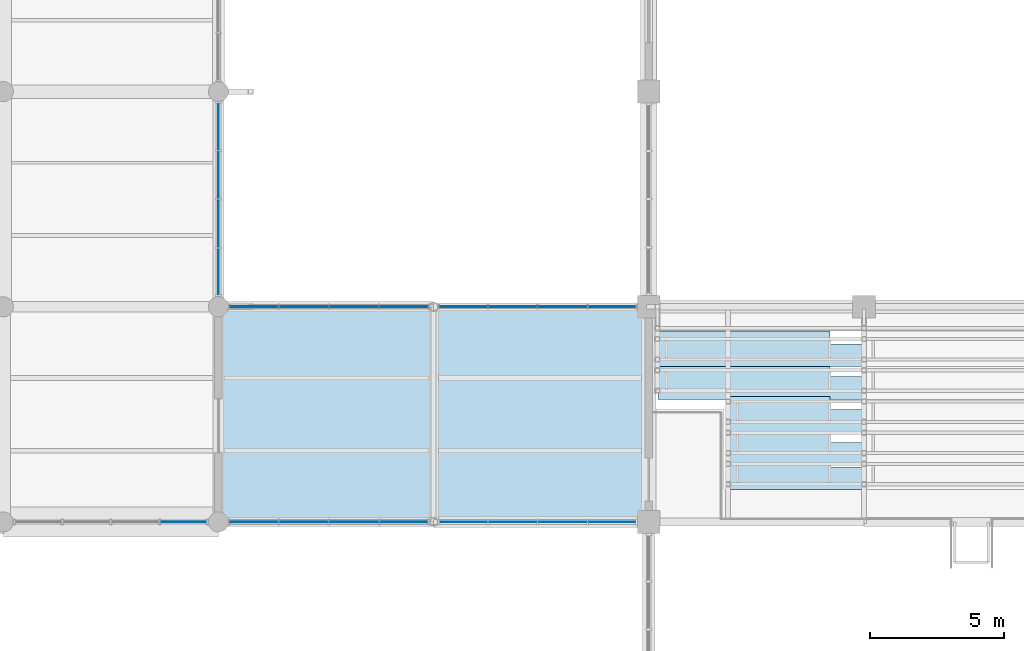
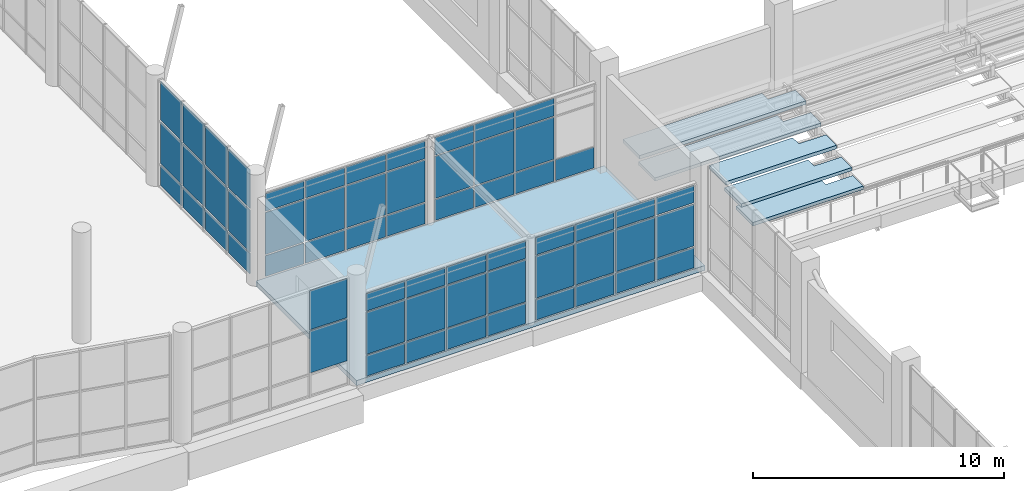
# One storey, part 76 of 122: 60 plates, 6 slabs, 6 elements without a shape of their own.
"""IFC4 building model written with IfcOpenShell, lengths in metres."""

from ifc_helpers import new_model, si_unit, direction, frame, origin, origin_2d, place, context, subcontext, project, spatial, polyline, rectangle, outline, extrude, material, layer, layer_set, type_object, element, aggregate, save


model = new_model("IFC4")

# Units and contexts
model_context = context("Model", 3, precision=1e-05, world=origin(), true_north=direction((0.0, 1.0)))
body_context = subcontext(model_context, "Body", "Model", "MODEL_VIEW")
ifc_project = project(units=[si_unit("LENGTHUNIT", "METRE"), si_unit("AREAUNIT", "SQUARE_METRE"), si_unit("VOLUMEUNIT", "CUBIC_METRE"), si_unit("PLANEANGLEUNIT", "RADIAN"), si_unit("MASSUNIT", "GRAM", prefix="KILO")], contexts=[model_context])

# Site, building, storey
site_placement = place(None, origin())
site = spatial("IfcSite", under=ifc_project, at=site_placement, CompositionType="ELEMENT")
building_placement = place(site_placement, origin())
building = spatial("IfcBuilding", under=site, at=building_placement, Name="Tenunan Teduh Sports Hall", CompositionType="ELEMENT")
storey_placement = place(building_placement, frame((0.0, 0.0, 5.39990234375)))
storey = spatial("IfcBuildingStorey", under=building, at=storey_placement, Name="L01", CompositionType="ELEMENT", Elevation=5.39990234375)

# Curtain wall, plates
ifc_material_1 = material(Name="Anodised aluminium", Category="aluminium")
curtain_wall_type_1 = type_object("IfcCurtainWallType", Name="CW-UNIT-1", PredefinedType="NOTDEFINED", material=ifc_material_1)
curtain_wall_1_placement = place(storey_placement, origin())
curtain_wall_1 = element("IfcCurtainWall", 1, at=curtain_wall_1_placement, inside=storey, type_object=curtain_wall_type_1, Name="CW-CWM-200-L01-164", PredefinedType="NOTDEFINED")
ifc_material_2 = material(Name="Low-E laminated double glazing", Category="glass")
ifc_layer_1 = layer(ifc_material_2, 0.028076171875)
ifc_layer_set_1 = layer_set([ifc_layer_1], Name="Low-E laminated double glazing")
plate_type_1 = type_object("IfcPlateType", Name="CWP-GLZ-28", PredefinedType="CURTAIN_PANEL", material=ifc_layer_set_1)
plate_1_placement = place(storey_placement, frame((104.701171875, 38.0, 1.13525390625), z_axis=(0.0, 0.0, 1.0), x_axis=(1.0, 0.0, 0.0)))
plate_1 = element("IfcPlate", 2, at=plate_1_placement, type_object=plate_type_1, Name="CW-01 panel 4.2", PredefinedType="CURTAIN_PANEL", context=body_context, shape_type="SweptSolid", body=[
    extrude(rectangle(XDim=1.70751953125, YDim=0.028076171875, at=origin_2d()), origin(), (0.0, 0.0, 1.0), 2.030029296875),
])
plate_2_placement = place(storey_placement, frame((104.701171875, 38.0, 3.235107421875), z_axis=(0.0, 0.0, 1.0), x_axis=(1.0, 0.0, 0.0)))
plate_2 = element("IfcPlate", 3, at=plate_2_placement, type_object=plate_type_1, Name="CW-01 panel 4.3", PredefinedType="CURTAIN_PANEL", context=body_context, shape_type="SweptSolid", body=[
    extrude(rectangle(XDim=1.70751953125, YDim=0.028076171875, at=origin_2d()), origin(), (0.0, 0.0, 1.0), 1.89501953125),
])
aggregate(curtain_wall_1, [plate_1, plate_2])

ifc_material_3 = material(Name="Anodised aluminium", Category="aluminium")
curtain_wall_type_2 = type_object("IfcCurtainWallType", Name="CW-UNIT-2", PredefinedType="NOTDEFINED", material=ifc_material_3)
curtain_wall_2_placement = place(storey_placement, origin())
curtain_wall_2 = element("IfcCurtainWall", 4, at=curtain_wall_2_placement, inside=storey, type_object=curtain_wall_type_2, Name="CW-CWM-200-L01-180", PredefinedType="NOTDEFINED")
plate_3_placement = place(storey_placement, frame((107.325439453125, 38.0, 1.13525390625), z_axis=(0.0, 0.0, 1.0), x_axis=(1.0, 0.0, 0.0)))
plate_3 = element("IfcPlate", 5, at=plate_3_placement, type_object=plate_type_1, Name="CW-02 panel 1.2", PredefinedType="CURTAIN_PANEL", context=body_context, shape_type="SweptSolid", body=[
    extrude(rectangle(XDim=1.7607421875, YDim=0.028076171875, at=origin_2d()), origin(), (0.0, 0.0, 1.0), 2.030029296875),
])
plate_4_placement = place(storey_placement, frame((107.325439453125, 38.0, 3.2353515625), z_axis=(0.0, 0.0, 1.0), x_axis=(1.0, 0.0, 0.0)))
plate_4 = element("IfcPlate", 6, at=plate_4_placement, type_object=plate_type_1, Name="CW-02 panel 1.3", PredefinedType="CURTAIN_PANEL", context=body_context, shape_type="SweptSolid", body=[
    extrude(rectangle(XDim=1.7607421875, YDim=0.028076171875, at=origin_2d()), origin(), (0.0, 0.0, 1.0), 0.844970703125),
])
plate_5_placement = place(storey_placement, frame((109.173583984375, 38.0, 1.13525390625), z_axis=(0.0, 0.0, 1.0), x_axis=(1.0, 0.0, 0.0)))
plate_5 = element("IfcPlate", 7, at=plate_5_placement, type_object=plate_type_1, Name="CW-02 panel 2.2", PredefinedType="CURTAIN_PANEL", context=body_context, shape_type="SweptSolid", body=[
    extrude(rectangle(XDim=1.795654296875, YDim=0.028076171875, at=origin_2d()), origin(), (0.0, 0.0, 1.0), 2.030029296875),
])
plate_6_placement = place(storey_placement, frame((109.173583984375, 38.0, 3.2353515625), z_axis=(0.0, 0.0, 1.0), x_axis=(1.0, 0.0, 0.0)))
plate_6 = element("IfcPlate", 8, at=plate_6_placement, type_object=plate_type_1, Name="CW-02 panel 2.3", PredefinedType="CURTAIN_PANEL", context=body_context, shape_type="SweptSolid", body=[
    extrude(rectangle(XDim=1.795654296875, YDim=0.028076171875, at=origin_2d()), origin(), (0.0, 0.0, 1.0), 0.844970703125),
])
plate_7_placement = place(storey_placement, frame((111.039306640625, 38.0, 1.13525390625), z_axis=(0.0, 0.0, 1.0), x_axis=(1.0, 0.0, 0.0)))
plate_7 = element("IfcPlate", 9, at=plate_7_placement, type_object=plate_type_1, Name="CW-02 panel 3.2", PredefinedType="CURTAIN_PANEL", context=body_context, shape_type="SweptSolid", body=[
    extrude(rectangle(XDim=1.795654296875, YDim=0.028076171875, at=origin_2d()), origin(), (0.0, 0.0, 1.0), 2.030029296875),
])
plate_8_placement = place(storey_placement, frame((111.039306640625, 38.0, 3.2353515625), z_axis=(0.0, 0.0, 1.0), x_axis=(1.0, 0.0, 0.0)))
plate_8 = element("IfcPlate", 10, at=plate_8_placement, type_object=plate_type_1, Name="CW-02 panel 3.3", PredefinedType="CURTAIN_PANEL", context=body_context, shape_type="SweptSolid", body=[
    extrude(rectangle(XDim=1.795654296875, YDim=0.028076171875, at=origin_2d()), origin(), (0.0, 0.0, 1.0), 0.844970703125),
])
plate_9_placement = place(storey_placement, frame((112.8876953125, 38.0, 1.13525390625), z_axis=(0.0, 0.0, 1.0), x_axis=(1.0, 0.0, 0.0)))
plate_9 = element("IfcPlate", 11, at=plate_9_placement, type_object=plate_type_1, Name="CW-02 panel 4.2", PredefinedType="CURTAIN_PANEL", context=body_context, shape_type="SweptSolid", body=[
    extrude(rectangle(XDim=1.7607421875, YDim=0.028076171875, at=origin_2d()), origin(), (0.0, 0.0, 1.0), 2.030029296875),
])
plate_10_placement = place(storey_placement, frame((112.8876953125, 38.0, 3.2353515625), z_axis=(0.0, 0.0, 1.0), x_axis=(1.0, 0.0, 0.0)))
plate_10 = element("IfcPlate", 12, at=plate_10_placement, type_object=plate_type_1, Name="CW-02 panel 4.3", PredefinedType="CURTAIN_PANEL", context=body_context, shape_type="SweptSolid", body=[
    extrude(rectangle(XDim=1.7607421875, YDim=0.028076171875, at=origin_2d()), origin(), (0.0, 0.0, 1.0), 0.844970703125),
])

curtain_wall_3_placement = place(storey_placement, origin())
curtain_wall_3 = element("IfcCurtainWall", 13, at=curtain_wall_3_placement, inside=storey, type_object=curtain_wall_type_2, Name="CW-CWM-175-L01-182", PredefinedType="NOTDEFINED")
plate_11_placement = place(storey_placement, frame((107.32421875, 46.0, 1.1328125), z_axis=(0.0, 0.0, 1.0), x_axis=(1.0, 0.0, 0.0)))
plate_11 = element("IfcPlate", 14, at=plate_11_placement, type_object=plate_type_1, Name="CW-02 panel 1.2", PredefinedType="CURTAIN_PANEL", context=body_context, shape_type="SweptSolid", body=[
    extrude(rectangle(XDim=1.768310546875, YDim=0.028076171875, at=origin_2d()), origin(), (0.0, 0.0, 1.0), 2.034912109375),
])
plate_12_placement = place(storey_placement, frame((107.32421875, 46.0, 3.232666015625), z_axis=(0.0, 0.0, 1.0), x_axis=(1.0, 0.0, 0.0)))
plate_12 = element("IfcPlate", 15, at=plate_12_placement, type_object=plate_type_1, Name="CW-02 panel 1.3", PredefinedType="CURTAIN_PANEL", context=body_context, shape_type="SweptSolid", body=[
    extrude(rectangle(XDim=1.768310546875, YDim=0.028076171875, at=origin_2d()), origin(), (0.0, 0.0, 1.0), 0.8525390625),
])
plate_13_placement = place(storey_placement, frame((109.173583984375, 46.0, 1.1328125), z_axis=(0.0, 0.0, 1.0), x_axis=(1.0, 0.0, 0.0)))
plate_13 = element("IfcPlate", 16, at=plate_13_placement, type_object=plate_type_1, Name="CW-02 panel 2.2", PredefinedType="CURTAIN_PANEL", context=body_context, shape_type="SweptSolid", body=[
    extrude(rectangle(XDim=1.80078125, YDim=0.028076171875, at=origin_2d()), origin(), (0.0, 0.0, 1.0), 2.034912109375),
])
plate_14_placement = place(storey_placement, frame((109.173583984375, 46.0, 3.232666015625), z_axis=(0.0, 0.0, 1.0), x_axis=(1.0, 0.0, 0.0)))
plate_14 = element("IfcPlate", 17, at=plate_14_placement, type_object=plate_type_1, Name="CW-02 panel 2.3", PredefinedType="CURTAIN_PANEL", context=body_context, shape_type="SweptSolid", body=[
    extrude(rectangle(XDim=1.80078125, YDim=0.028076171875, at=origin_2d()), origin(), (0.0, 0.0, 1.0), 0.8525390625),
])
plate_15_placement = place(storey_placement, frame((111.039306640625, 46.0, 1.1328125), z_axis=(0.0, 0.0, 1.0), x_axis=(1.0, 0.0, 0.0)))
plate_15 = element("IfcPlate", 18, at=plate_15_placement, type_object=plate_type_1, Name="CW-02 panel 3.2", PredefinedType="CURTAIN_PANEL", context=body_context, shape_type="SweptSolid", body=[
    extrude(rectangle(XDim=1.80078125, YDim=0.028076171875, at=origin_2d()), origin(), (0.0, 0.0, 1.0), 2.034912109375),
])
plate_16_placement = place(storey_placement, frame((111.039306640625, 46.0, 3.232666015625), z_axis=(0.0, 0.0, 1.0), x_axis=(1.0, 0.0, 0.0)))
plate_16 = element("IfcPlate", 19, at=plate_16_placement, type_object=plate_type_1, Name="CW-02 panel 3.3", PredefinedType="CURTAIN_PANEL", context=body_context, shape_type="SweptSolid", body=[
    extrude(rectangle(XDim=1.80078125, YDim=0.028076171875, at=origin_2d()), origin(), (0.0, 0.0, 1.0), 0.8525390625),
])
plate_17_placement = place(storey_placement, frame((112.888916015625, 46.0, 1.1328125), z_axis=(0.0, 0.0, 1.0), x_axis=(1.0, 0.0, 0.0)))
plate_17 = element("IfcPlate", 20, at=plate_17_placement, type_object=plate_type_1, Name="CW-02 panel 4.2", PredefinedType="CURTAIN_PANEL", context=body_context, shape_type="SweptSolid", body=[
    extrude(rectangle(XDim=1.768310546875, YDim=0.028076171875, at=origin_2d()), origin(), (0.0, 0.0, 1.0), 2.034912109375),
])
plate_18_placement = place(storey_placement, frame((112.888916015625, 46.0, 3.232666015625), z_axis=(0.0, 0.0, 1.0), x_axis=(1.0, 0.0, 0.0)))
plate_18 = element("IfcPlate", 21, at=plate_18_placement, type_object=plate_type_1, Name="CW-02 panel 4.3", PredefinedType="CURTAIN_PANEL", context=body_context, shape_type="SweptSolid", body=[
    extrude(rectangle(XDim=1.768310546875, YDim=0.028076171875, at=origin_2d()), origin(), (0.0, 0.0, 1.0), 0.8525390625),
])

curtain_wall_4_placement = place(storey_placement, origin())
curtain_wall_4 = element("IfcCurtainWall", 22, at=curtain_wall_4_placement, inside=storey, type_object=curtain_wall_type_1, Name="CW-CWM-220-L01-173", PredefinedType="NOTDEFINED")
ifc_material_4 = material(Name="Solar-control laminated glazing", Category="glass")
ifc_layer_2 = layer(ifc_material_4, 0.031982421875)
ifc_layer_set_2 = layer_set([ifc_layer_2], Name="Solar-control laminated glazing")
plate_type_2 = type_object("IfcPlateType", Name="CWP-GLZ-32", PredefinedType="CURTAIN_PANEL", material=ifc_layer_set_2)
plate_19_placement = place(storey_placement, frame((106.0, 47.300048828125, 1.1376953125), z_axis=(0.0, 0.0, 1.0), x_axis=(0.0, 1.0, 0.0)))
plate_19 = element("IfcPlate", 23, at=plate_19_placement, type_object=plate_type_2, Name="CW-01 panel 1.2", PredefinedType="CURTAIN_PANEL", context=body_context, shape_type="SweptSolid", body=[
    extrude(rectangle(XDim=1.699951171875, YDim=0.031982421875, at=origin_2d()), origin(), (0.0, 0.0, 1.0), 2.02490234375),
])
plate_20_placement = place(storey_placement, frame((106.0, 47.300048828125, 3.23779296875), z_axis=(0.0, 0.0, 1.0), x_axis=(0.0, 1.0, 0.0)))
plate_20 = element("IfcPlate", 24, at=plate_20_placement, type_object=plate_type_2, Name="CW-01 panel 1.3", PredefinedType="CURTAIN_PANEL", context=body_context, shape_type="SweptSolid", body=[
    extrude(rectangle(XDim=1.699951171875, YDim=0.031982421875, at=origin_2d()), origin(), (0.0, 0.0, 1.0), 1.887451171875),
])
plate_21_placement = place(storey_placement, frame((106.0, 49.09375, 1.1376953125), z_axis=(0.0, 0.0, 1.0), x_axis=(0.0, 1.0, 0.0)))
plate_21 = element("IfcPlate", 25, at=plate_21_placement, type_object=plate_type_2, Name="CW-01 panel 2.2", PredefinedType="CURTAIN_PANEL", context=body_context, shape_type="SweptSolid", body=[
    extrude(rectangle(XDim=1.737548828125, YDim=0.031982421875, at=origin_2d()), origin(), (0.0, 0.0, 1.0), 2.02490234375),
])
plate_22_placement = place(storey_placement, frame((106.0, 49.09375, 3.23779296875), z_axis=(0.0, 0.0, 1.0), x_axis=(0.0, 1.0, 0.0)))
plate_22 = element("IfcPlate", 26, at=plate_22_placement, type_object=plate_type_2, Name="CW-01 panel 2.3", PredefinedType="CURTAIN_PANEL", context=body_context, shape_type="SweptSolid", body=[
    extrude(rectangle(XDim=1.737548828125, YDim=0.031982421875, at=origin_2d()), origin(), (0.0, 0.0, 1.0), 1.887451171875),
])
plate_23_placement = place(storey_placement, frame((106.0, 50.90625, 1.1376953125), z_axis=(0.0, 0.0, 1.0), x_axis=(0.0, 1.0, 0.0)))
plate_23 = element("IfcPlate", 27, at=plate_23_placement, type_object=plate_type_2, Name="CW-01 panel 3.2", PredefinedType="CURTAIN_PANEL", context=body_context, shape_type="SweptSolid", body=[
    extrude(rectangle(XDim=1.737548828125, YDim=0.031982421875, at=origin_2d()), origin(), (0.0, 0.0, 1.0), 2.02490234375),
])
plate_24_placement = place(storey_placement, frame((106.0, 50.90625, 3.23779296875), z_axis=(0.0, 0.0, 1.0), x_axis=(0.0, 1.0, 0.0)))
plate_24 = element("IfcPlate", 28, at=plate_24_placement, type_object=plate_type_2, Name="CW-01 panel 3.3", PredefinedType="CURTAIN_PANEL", context=body_context, shape_type="SweptSolid", body=[
    extrude(rectangle(XDim=1.737548828125, YDim=0.031982421875, at=origin_2d()), origin(), (0.0, 0.0, 1.0), 1.887451171875),
])
plate_25_placement = place(storey_placement, frame((106.0, 52.699951171875, 1.1376953125), z_axis=(0.0, 0.0, 1.0), x_axis=(0.0, 1.0, 0.0)))
plate_25 = element("IfcPlate", 29, at=plate_25_placement, type_object=plate_type_2, Name="CW-01 panel 4.2", PredefinedType="CURTAIN_PANEL", context=body_context, shape_type="SweptSolid", body=[
    extrude(rectangle(XDim=1.699951171875, YDim=0.031982421875, at=origin_2d()), origin(), (0.0, 0.0, 1.0), 2.02490234375),
])
plate_26_placement = place(storey_placement, frame((106.0, 52.699951171875, 3.23779296875), z_axis=(0.0, 0.0, 1.0), x_axis=(0.0, 1.0, 0.0)))
plate_26 = element("IfcPlate", 30, at=plate_26_placement, type_object=plate_type_2, Name="CW-01 panel 4.3", PredefinedType="CURTAIN_PANEL", context=body_context, shape_type="SweptSolid", body=[
    extrude(rectangle(XDim=1.699951171875, YDim=0.031982421875, at=origin_2d()), origin(), (0.0, 0.0, 1.0), 1.887451171875),
])

curtain_wall_5_placement = place(storey_placement, origin())
curtain_wall_5 = element("IfcCurtainWall", 31, at=curtain_wall_5_placement, inside=storey, type_object=curtain_wall_type_2, Name="CW-CWM-220-L01-181", PredefinedType="NOTDEFINED")
plate_27_placement = place(storey_placement, frame((115.107421875, 38.0, 1.1376953125), z_axis=(0.0, 0.0, 1.0), x_axis=(1.0, 0.0, 0.0)))
plate_27 = element("IfcPlate", 32, at=plate_27_placement, type_object=plate_type_2, Name="CW-02 panel 1.2", PredefinedType="CURTAIN_PANEL", context=body_context, shape_type="SweptSolid", body=[
    extrude(rectangle(XDim=1.74072265625, YDim=0.031982421875, at=origin_2d()), origin(), (0.0, 0.0, 1.0), 2.02490234375),
])
plate_28_placement = place(storey_placement, frame((115.107421875, 38.0, 3.237548828125), z_axis=(0.0, 0.0, 1.0), x_axis=(1.0, 0.0, 0.0)))
plate_28 = element("IfcPlate", 33, at=plate_28_placement, type_object=plate_type_2, Name="CW-02 panel 1.3", PredefinedType="CURTAIN_PANEL", context=body_context, shape_type="SweptSolid", body=[
    extrude(rectangle(XDim=1.74072265625, YDim=0.031982421875, at=origin_2d()), origin(), (0.0, 0.0, 1.0), 0.83740234375),
])
plate_29_placement = place(storey_placement, frame((116.94189453125, 38.0, 1.1376953125), z_axis=(0.0, 0.0, 1.0), x_axis=(1.0, 0.0, 0.0)))
plate_29 = element("IfcPlate", 34, at=plate_29_placement, type_object=plate_type_2, Name="CW-02 panel 2.2", PredefinedType="CURTAIN_PANEL", context=body_context, shape_type="SweptSolid", body=[
    extrude(rectangle(XDim=1.7783203125, YDim=0.031982421875, at=origin_2d()), origin(), (0.0, 0.0, 1.0), 2.02490234375),
])
plate_30_placement = place(storey_placement, frame((116.94189453125, 38.0, 3.237548828125), z_axis=(0.0, 0.0, 1.0), x_axis=(1.0, 0.0, 0.0)))
plate_30 = element("IfcPlate", 35, at=plate_30_placement, type_object=plate_type_2, Name="CW-02 panel 2.3", PredefinedType="CURTAIN_PANEL", context=body_context, shape_type="SweptSolid", body=[
    extrude(rectangle(XDim=1.7783203125, YDim=0.031982421875, at=origin_2d()), origin(), (0.0, 0.0, 1.0), 0.83740234375),
])
plate_31_placement = place(storey_placement, frame((118.795166015625, 38.0, 1.1376953125), z_axis=(0.0, 0.0, 1.0), x_axis=(1.0, 0.0, 0.0)))
plate_31 = element("IfcPlate", 36, at=plate_31_placement, type_object=plate_type_2, Name="CW-02 panel 3.2", PredefinedType="CURTAIN_PANEL", context=body_context, shape_type="SweptSolid", body=[
    extrude(rectangle(XDim=1.7783203125, YDim=0.031982421875, at=origin_2d()), origin(), (0.0, 0.0, 1.0), 2.02490234375),
])
plate_32_placement = place(storey_placement, frame((118.795166015625, 38.0, 3.237548828125), z_axis=(0.0, 0.0, 1.0), x_axis=(1.0, 0.0, 0.0)))
plate_32 = element("IfcPlate", 37, at=plate_32_placement, type_object=plate_type_2, Name="CW-02 panel 3.3", PredefinedType="CURTAIN_PANEL", context=body_context, shape_type="SweptSolid", body=[
    extrude(rectangle(XDim=1.7783203125, YDim=0.031982421875, at=origin_2d()), origin(), (0.0, 0.0, 1.0), 0.83740234375),
])
plate_33_placement = place(storey_placement, frame((120.629638671875, 38.0, 1.1376953125), z_axis=(0.0, 0.0, 1.0), x_axis=(1.0, 0.0, 0.0)))
plate_33 = element("IfcPlate", 38, at=plate_33_placement, type_object=plate_type_2, Name="CW-02 panel 4.2", PredefinedType="CURTAIN_PANEL", context=body_context, shape_type="SweptSolid", body=[
    extrude(rectangle(XDim=1.74072265625, YDim=0.031982421875, at=origin_2d()), origin(), (0.0, 0.0, 1.0), 2.02490234375),
])
plate_34_placement = place(storey_placement, frame((120.629638671875, 38.0, 3.237548828125), z_axis=(0.0, 0.0, 1.0), x_axis=(1.0, 0.0, 0.0)))
plate_34 = element("IfcPlate", 39, at=plate_34_placement, type_object=plate_type_2, Name="CW-02 panel 4.3", PredefinedType="CURTAIN_PANEL", context=body_context, shape_type="SweptSolid", body=[
    extrude(rectangle(XDim=1.74072265625, YDim=0.031982421875, at=origin_2d()), origin(), (0.0, 0.0, 1.0), 0.83740234375),
])

curtain_wall_6_placement = place(storey_placement, origin())
curtain_wall_6 = element("IfcCurtainWall", 40, at=curtain_wall_6_placement, inside=storey, type_object=curtain_wall_type_2, Name="CW-CWM-150-L01-183", PredefinedType="NOTDEFINED")
plate_35_placement = place(storey_placement, frame((115.103515625, 46.0, 1.130126953125), z_axis=(0.0, 0.0, 1.0), x_axis=(1.0, 0.0, 0.0)))
plate_35 = element("IfcPlate", 41, at=plate_35_placement, type_object=plate_type_2, Name="CW-02 panel 1.2", PredefinedType="CURTAIN_PANEL", context=body_context, shape_type="SweptSolid", body=[
    extrude(rectangle(XDim=1.76318359375, YDim=0.031982421875, at=origin_2d()), origin(), (0.0, 0.0, 1.0), 2.0400390625),
])
plate_36_placement = place(storey_placement, frame((115.103515625, 46.0, 3.22998046875), z_axis=(0.0, 0.0, 1.0), x_axis=(1.0, 0.0, 0.0)))
plate_36 = element("IfcPlate", 42, at=plate_36_placement, type_object=plate_type_2, Name="CW-02 panel 1.3", PredefinedType="CURTAIN_PANEL", context=body_context, shape_type="SweptSolid", body=[
    extrude(rectangle(XDim=1.76318359375, YDim=0.031982421875, at=origin_2d()), origin(), (0.0, 0.0, 1.0), 0.860107421875),
])
plate_37_placement = place(storey_placement, frame((116.94189453125, 46.0, 1.130126953125), z_axis=(0.0, 0.0, 1.0), x_axis=(1.0, 0.0, 0.0)))
plate_37 = element("IfcPlate", 43, at=plate_37_placement, type_object=plate_type_2, Name="CW-02 panel 2.2", PredefinedType="CURTAIN_PANEL", context=body_context, shape_type="SweptSolid", body=[
    extrude(rectangle(XDim=1.793212890625, YDim=0.031982421875, at=origin_2d()), origin(), (0.0, 0.0, 1.0), 2.0400390625),
])
plate_38_placement = place(storey_placement, frame((116.94189453125, 46.0, 3.22998046875), z_axis=(0.0, 0.0, 1.0), x_axis=(1.0, 0.0, 0.0)))
plate_38 = element("IfcPlate", 44, at=plate_38_placement, type_object=plate_type_2, Name="CW-02 panel 2.3", PredefinedType="CURTAIN_PANEL", context=body_context, shape_type="SweptSolid", body=[
    extrude(rectangle(XDim=1.793212890625, YDim=0.031982421875, at=origin_2d()), origin(), (0.0, 0.0, 1.0), 0.860107421875),
])
plate_39_placement = place(storey_placement, frame((118.795166015625, 46.0, 1.130126953125), z_axis=(0.0, 0.0, 1.0), x_axis=(1.0, 0.0, 0.0)))
plate_39 = element("IfcPlate", 45, at=plate_39_placement, type_object=plate_type_2, Name="CW-02 panel 3.2", PredefinedType="CURTAIN_PANEL", context=body_context, shape_type="SweptSolid", body=[
    extrude(rectangle(XDim=1.793212890625, YDim=0.031982421875, at=origin_2d()), origin(), (0.0, 0.0, 1.0), 2.0400390625),
])
plate_40_placement = place(storey_placement, frame((118.795166015625, 46.0, 3.22998046875), z_axis=(0.0, 0.0, 1.0), x_axis=(1.0, 0.0, 0.0)))
plate_40 = element("IfcPlate", 46, at=plate_40_placement, type_object=plate_type_2, Name="CW-02 panel 3.3", PredefinedType="CURTAIN_PANEL", context=body_context, shape_type="SweptSolid", body=[
    extrude(rectangle(XDim=1.793212890625, YDim=0.031982421875, at=origin_2d()), origin(), (0.0, 0.0, 1.0), 0.860107421875),
])

# Plate
ifc_material_5 = material(Name="Insulated aluminium spandrel panel", Category="aluminium")
ifc_layer_3 = layer(ifc_material_5, 0.044921875)
ifc_layer_set_3 = layer_set([ifc_layer_3], Name="Insulated aluminium spandrel panel")
plate_type_3 = type_object("IfcPlateType", Name="CWP-SPN-45", PredefinedType="CURTAIN_PANEL", material=ifc_layer_set_3)
plate_41_placement = place(storey_placement, frame((106.0, 47.300048828125, 0.0751953125), z_axis=(0.0, 0.0, 1.0), x_axis=(0.0, 1.0, 0.0)))
plate_41 = element("IfcPlate", 47, at=plate_41_placement, type_object=plate_type_3, Name="CW-01 panel 1.1", PredefinedType="CURTAIN_PANEL", context=body_context, shape_type="SweptSolid", body=[
    extrude(rectangle(XDim=1.699951171875, YDim=0.031982421875, at=origin_2d()), origin(), (0.0, 0.0, 1.0), 0.987548828125),
])

plate_42_placement = place(storey_placement, frame((106.0, 49.09375, 0.0751953125), z_axis=(0.0, 0.0, 1.0), x_axis=(0.0, 1.0, 0.0)))
plate_42 = element("IfcPlate", 48, at=plate_42_placement, type_object=plate_type_3, Name="CW-01 panel 2.1", PredefinedType="CURTAIN_PANEL", context=body_context, shape_type="SweptSolid", body=[
    extrude(rectangle(XDim=1.737548828125, YDim=0.031982421875, at=origin_2d()), origin(), (0.0, 0.0, 1.0), 0.987548828125),
])

plate_43_placement = place(storey_placement, frame((106.0, 50.90625, 0.0751953125), z_axis=(0.0, 0.0, 1.0), x_axis=(0.0, 1.0, 0.0)))
plate_43 = element("IfcPlate", 49, at=plate_43_placement, type_object=plate_type_3, Name="CW-01 panel 3.1", PredefinedType="CURTAIN_PANEL", context=body_context, shape_type="SweptSolid", body=[
    extrude(rectangle(XDim=1.737548828125, YDim=0.031982421875, at=origin_2d()), origin(), (0.0, 0.0, 1.0), 0.987548828125),
])

plate_44_placement = place(storey_placement, frame((106.0, 52.699951171875, 0.0751953125), z_axis=(0.0, 0.0, 1.0), x_axis=(0.0, 1.0, 0.0)))
plate_44 = element("IfcPlate", 50, at=plate_44_placement, type_object=plate_type_3, Name="CW-01 panel 4.1", PredefinedType="CURTAIN_PANEL", context=body_context, shape_type="SweptSolid", body=[
    extrude(rectangle(XDim=1.699951171875, YDim=0.031982421875, at=origin_2d()), origin(), (0.0, 0.0, 1.0), 0.987548828125),
])

aggregate(curtain_wall_4, [plate_41, plate_19, plate_20, plate_42, plate_21, plate_22, plate_43, plate_23, plate_24, plate_44, plate_25, plate_26])

plate_45_placement = place(storey_placement, frame((107.325439453125, 38.0, 0.070068359375), z_axis=(0.0, 0.0, 1.0), x_axis=(1.0, 0.0, 0.0)))
plate_45 = element("IfcPlate", 51, at=plate_45_placement, type_object=plate_type_3, Name="CW-02 panel 1.1", PredefinedType="CURTAIN_PANEL", context=body_context, shape_type="SweptSolid", body=[
    extrude(rectangle(XDim=1.7607421875, YDim=0.028076171875, at=origin_2d()), origin(), (0.0, 0.0, 1.0), 0.9951171875),
])

plate_46_placement = place(storey_placement, frame((109.173583984375, 38.0, 0.070068359375), z_axis=(0.0, 0.0, 1.0), x_axis=(1.0, 0.0, 0.0)))
plate_46 = element("IfcPlate", 52, at=plate_46_placement, type_object=plate_type_3, Name="CW-02 panel 2.1", PredefinedType="CURTAIN_PANEL", context=body_context, shape_type="SweptSolid", body=[
    extrude(rectangle(XDim=1.795654296875, YDim=0.028076171875, at=origin_2d()), origin(), (0.0, 0.0, 1.0), 0.9951171875),
])

plate_47_placement = place(storey_placement, frame((111.039306640625, 38.0, 0.070068359375), z_axis=(0.0, 0.0, 1.0), x_axis=(1.0, 0.0, 0.0)))
plate_47 = element("IfcPlate", 53, at=plate_47_placement, type_object=plate_type_3, Name="CW-02 panel 3.1", PredefinedType="CURTAIN_PANEL", context=body_context, shape_type="SweptSolid", body=[
    extrude(rectangle(XDim=1.795654296875, YDim=0.028076171875, at=origin_2d()), origin(), (0.0, 0.0, 1.0), 0.9951171875),
])

plate_48_placement = place(storey_placement, frame((112.8876953125, 38.0, 0.070068359375), z_axis=(0.0, 0.0, 1.0), x_axis=(1.0, 0.0, 0.0)))
plate_48 = element("IfcPlate", 54, at=plate_48_placement, type_object=plate_type_3, Name="CW-02 panel 4.1", PredefinedType="CURTAIN_PANEL", context=body_context, shape_type="SweptSolid", body=[
    extrude(rectangle(XDim=1.7607421875, YDim=0.028076171875, at=origin_2d()), origin(), (0.0, 0.0, 1.0), 0.9951171875),
])

aggregate(curtain_wall_2, [plate_45, plate_3, plate_4, plate_46, plate_5, plate_6, plate_47, plate_7, plate_8, plate_48, plate_9, plate_10])

plate_49_placement = place(storey_placement, frame((115.107421875, 38.0, 0.0751953125), z_axis=(0.0, 0.0, 1.0), x_axis=(1.0, 0.0, 0.0)))
plate_49 = element("IfcPlate", 55, at=plate_49_placement, type_object=plate_type_3, Name="CW-02 panel 1.1", PredefinedType="CURTAIN_PANEL", context=body_context, shape_type="SweptSolid", body=[
    extrude(rectangle(XDim=1.74072265625, YDim=0.031982421875, at=origin_2d()), origin(), (0.0, 0.0, 1.0), 0.987548828125),
])

plate_50_placement = place(storey_placement, frame((116.94189453125, 38.0, 0.0751953125), z_axis=(0.0, 0.0, 1.0), x_axis=(1.0, 0.0, 0.0)))
plate_50 = element("IfcPlate", 56, at=plate_50_placement, type_object=plate_type_3, Name="CW-02 panel 2.1", PredefinedType="CURTAIN_PANEL", context=body_context, shape_type="SweptSolid", body=[
    extrude(rectangle(XDim=1.7783203125, YDim=0.031982421875, at=origin_2d()), origin(), (0.0, 0.0, 1.0), 0.987548828125),
])

plate_51_placement = place(storey_placement, frame((118.795166015625, 38.0, 0.0751953125), z_axis=(0.0, 0.0, 1.0), x_axis=(1.0, 0.0, 0.0)))
plate_51 = element("IfcPlate", 57, at=plate_51_placement, type_object=plate_type_3, Name="CW-02 panel 3.1", PredefinedType="CURTAIN_PANEL", context=body_context, shape_type="SweptSolid", body=[
    extrude(rectangle(XDim=1.7783203125, YDim=0.031982421875, at=origin_2d()), origin(), (0.0, 0.0, 1.0), 0.987548828125),
])

plate_52_placement = place(storey_placement, frame((120.629638671875, 38.0, 0.0751953125), z_axis=(0.0, 0.0, 1.0), x_axis=(1.0, 0.0, 0.0)))
plate_52 = element("IfcPlate", 58, at=plate_52_placement, type_object=plate_type_3, Name="CW-02 panel 4.1", PredefinedType="CURTAIN_PANEL", context=body_context, shape_type="SweptSolid", body=[
    extrude(rectangle(XDim=1.74072265625, YDim=0.031982421875, at=origin_2d()), origin(), (0.0, 0.0, 1.0), 0.987548828125),
])

aggregate(curtain_wall_5, [plate_49, plate_27, plate_28, plate_50, plate_29, plate_30, plate_51, plate_31, plate_32, plate_52, plate_33, plate_34])

plate_53_placement = place(storey_placement, frame((107.32421875, 46.0, 0.065185546875), z_axis=(0.0, 0.0, 1.0), x_axis=(1.0, 0.0, 0.0)))
plate_53 = element("IfcPlate", 59, at=plate_53_placement, type_object=plate_type_3, Name="CW-02 panel 1.1", PredefinedType="CURTAIN_PANEL", context=body_context, shape_type="SweptSolid", body=[
    extrude(rectangle(XDim=1.768310546875, YDim=0.028076171875, at=origin_2d()), origin(), (0.0, 0.0, 1.0), 1.00244140625),
])

plate_54_placement = place(storey_placement, frame((109.173583984375, 46.0, 0.065185546875), z_axis=(0.0, 0.0, 1.0), x_axis=(1.0, 0.0, 0.0)))
plate_54 = element("IfcPlate", 60, at=plate_54_placement, type_object=plate_type_3, Name="CW-02 panel 2.1", PredefinedType="CURTAIN_PANEL", context=body_context, shape_type="SweptSolid", body=[
    extrude(rectangle(XDim=1.80078125, YDim=0.028076171875, at=origin_2d()), origin(), (0.0, 0.0, 1.0), 1.00244140625),
])

plate_55_placement = place(storey_placement, frame((111.039306640625, 46.0, 0.065185546875), z_axis=(0.0, 0.0, 1.0), x_axis=(1.0, 0.0, 0.0)))
plate_55 = element("IfcPlate", 61, at=plate_55_placement, type_object=plate_type_3, Name="CW-02 panel 3.1", PredefinedType="CURTAIN_PANEL", context=body_context, shape_type="SweptSolid", body=[
    extrude(rectangle(XDim=1.80078125, YDim=0.028076171875, at=origin_2d()), origin(), (0.0, 0.0, 1.0), 1.00244140625),
])

plate_56_placement = place(storey_placement, frame((112.888916015625, 46.0, 0.065185546875), z_axis=(0.0, 0.0, 1.0), x_axis=(1.0, 0.0, 0.0)))
plate_56 = element("IfcPlate", 62, at=plate_56_placement, type_object=plate_type_3, Name="CW-02 panel 4.1", PredefinedType="CURTAIN_PANEL", context=body_context, shape_type="SweptSolid", body=[
    extrude(rectangle(XDim=1.768310546875, YDim=0.028076171875, at=origin_2d()), origin(), (0.0, 0.0, 1.0), 1.00244140625),
])

aggregate(curtain_wall_3, [plate_53, plate_11, plate_12, plate_54, plate_13, plate_14, plate_55, plate_15, plate_16, plate_56, plate_17, plate_18])

plate_57_placement = place(storey_placement, frame((115.103515625, 46.0, 0.06005859375), z_axis=(0.0, 0.0, 1.0), x_axis=(1.0, 0.0, 0.0)))
plate_57 = element("IfcPlate", 63, at=plate_57_placement, type_object=plate_type_3, Name="CW-02 panel 1.1", PredefinedType="CURTAIN_PANEL", context=body_context, shape_type="SweptSolid", body=[
    extrude(rectangle(XDim=1.76318359375, YDim=0.031982421875, at=origin_2d()), origin(), (0.0, 0.0, 1.0), 1.010009765625),
])

plate_58_placement = place(storey_placement, frame((116.94189453125, 46.0, 0.06005859375), z_axis=(0.0, 0.0, 1.0), x_axis=(1.0, 0.0, 0.0)))
plate_58 = element("IfcPlate", 64, at=plate_58_placement, type_object=plate_type_3, Name="CW-02 panel 2.1", PredefinedType="CURTAIN_PANEL", context=body_context, shape_type="SweptSolid", body=[
    extrude(rectangle(XDim=1.793212890625, YDim=0.031982421875, at=origin_2d()), origin(), (0.0, 0.0, 1.0), 1.010009765625),
])

plate_59_placement = place(storey_placement, frame((118.795166015625, 46.0, 0.06005859375), z_axis=(0.0, 0.0, 1.0), x_axis=(1.0, 0.0, 0.0)))
plate_59 = element("IfcPlate", 65, at=plate_59_placement, type_object=plate_type_3, Name="CW-02 panel 3.1", PredefinedType="CURTAIN_PANEL", context=body_context, shape_type="SweptSolid", body=[
    extrude(rectangle(XDim=1.793212890625, YDim=0.031982421875, at=origin_2d()), origin(), (0.0, 0.0, 1.0), 1.010009765625),
])

plate_60_placement = place(storey_placement, frame((120.63330078125, 46.0, 0.06005859375), z_axis=(0.0, 0.0, 1.0), x_axis=(1.0, 0.0, 0.0)))
plate_60 = element("IfcPlate", 66, at=plate_60_placement, type_object=plate_type_3, Name="CW-02 panel 4.1", PredefinedType="CURTAIN_PANEL", context=body_context, shape_type="SweptSolid", body=[
    extrude(rectangle(XDim=1.76318359375, YDim=0.031982421875, at=origin_2d()), origin(), (0.0, 0.0, 1.0), 1.010009765625),
])

aggregate(curtain_wall_6, [plate_57, plate_35, plate_36, plate_58, plate_37, plate_38, plate_59, plate_39, plate_40, plate_60])

# Slabs
ifc_material_6 = material(Name="Concrete C40/50", Category="concrete")
ifc_layer_4 = layer(ifc_material_6, 0.239990234375)
ifc_layer_set_4 = layer_set([ifc_layer_4], Name="Concrete C40/50")
slab_type_1 = type_object("IfcSlabType", Name="SLB-FLR-240", PredefinedType="FLOOR", material=ifc_layer_set_4)
slab_1_placement = place(storey_placement, frame((0.0, 0.0, -0.239990234375)))
element("IfcSlab", 67, at=slab_1_placement, inside=storey, type_object=slab_type_1, Name="SL-L01-LINK-E", PredefinedType="FLOOR", context=body_context, shape_type="SweptSolid", body=[
    extrude(outline(polyline([(106.0, 38.0), (122.0, 38.0), (122.0, 46.0), (106.0, 46.0), (106.0, 38.0)])), origin(), (0.0, 0.0, 1.0), 0.239990234375),
])
ifc_material_7 = material(Name="Precast concrete C40/50", Category="concrete")
ifc_layer_5 = layer(ifc_material_7, 0.155029296875)
ifc_layer_set_5 = layer_set([ifc_layer_5], Name="Precast concrete C40/50")
slab_type_2 = type_object("IfcSlabType", Name="SLB-TIER-155", PredefinedType="USERDEFINED", material=ifc_layer_set_5)
slab_2_placement = place(storey_placement, frame((0.0, 0.0, 0.525146484375)))
element("IfcSlab", 68, at=slab_2_placement, inside=storey, type_object=slab_type_2, Name="SL-TIER-V1-L01-1-2", ObjectType="SEATING TIER", PredefinedType="USERDEFINED", context=body_context, shape_type="SweptSolid", body=[
    extrude(outline(polyline([(124.89990234375, 40.1201171875), (129.97998046875, 40.1201171875), (129.97998046875, 40.9599609375), (128.72998046875, 40.9599609375), (128.72998046875, 41.43994140625), (124.89990234375, 41.43994140625), (124.89990234375, 40.1201171875)])), origin(), (0.0, 0.0, 1.0), 0.155029296875),
])
slab_3_placement = place(storey_placement, frame((0.0, 0.0, 1.205078125)))
element("IfcSlab", 69, at=slab_3_placement, inside=storey, type_object=slab_type_2, Name="SL-TIER-V1-L01-1-4", ObjectType="SEATING TIER", PredefinedType="USERDEFINED", context=body_context, shape_type="SweptSolid", body=[
    extrude(outline(polyline([(122.340087890625, 42.56005859375), (129.97998046875, 42.56005859375), (129.97998046875, 43.39990234375), (128.72998046875, 43.39990234375), (128.72998046875, 43.8798828125), (122.340087890625, 43.8798828125), (122.340087890625, 42.56005859375)])), origin(), (0.0, 0.0, 1.0), 0.155029296875),
])
ifc_material_8 = material(Name="Precast concrete C40/50", Category="concrete")
ifc_layer_6 = layer(ifc_material_8, 0.169921875)
ifc_layer_set_6 = layer_set([ifc_layer_6], Name="Precast concrete C40/50")
slab_type_3 = type_object("IfcSlabType", Name="SLB-TIER-170", PredefinedType="USERDEFINED", material=ifc_layer_set_6)
slab_4_placement = place(storey_placement, frame((0.0, 0.0, 0.170166015625)))
element("IfcSlab", 70, at=slab_4_placement, inside=storey, type_object=slab_type_3, Name="SL-TIER-V1-L01-1-1", ObjectType="SEATING TIER", PredefinedType="USERDEFINED", context=body_context, shape_type="SweptSolid", body=[
    extrude(outline(polyline([(124.89990234375, 39.199951171875), (129.97998046875, 39.199951171875), (129.97998046875, 40.0400390625), (128.72998046875, 40.0400390625), (128.72998046875, 40.52001953125), (124.89990234375, 40.52001953125), (124.89990234375, 39.199951171875)])), origin(), (0.0, 0.0, 1.0), 0.169921875),
])
slab_5_placement = place(storey_placement, frame((0.0, 0.0, 0.85009765625)))
element("IfcSlab", 71, at=slab_5_placement, inside=storey, type_object=slab_type_3, Name="SL-TIER-V1-L01-1-3", ObjectType="SEATING TIER", PredefinedType="USERDEFINED", context=body_context, shape_type="SweptSolid", body=[
    extrude(outline(polyline([(124.89990234375, 41.340087890625), (129.97998046875, 41.340087890625), (129.97998046875, 42.179931640625), (128.72998046875, 42.179931640625), (128.72998046875, 42.659912109375), (124.89990234375, 42.659912109375), (124.89990234375, 41.340087890625)])), origin(), (0.0, 0.0, 1.0), 0.169921875),
])
slab_6_placement = place(storey_placement, frame((0.0, 0.0, 1.530029296875)))
element("IfcSlab", 72, at=slab_6_placement, inside=storey, type_object=slab_type_3, Name="SL-TIER-V1-L01-1-5", ObjectType="SEATING TIER", PredefinedType="USERDEFINED", context=body_context, shape_type="SweptSolid", body=[
    extrude(outline(polyline([(122.340087890625, 43.780029296875), (129.97998046875, 43.780029296875), (129.97998046875, 44.6201171875), (128.72998046875, 44.6201171875), (128.72998046875, 45.10009765625), (122.340087890625, 45.10009765625), (122.340087890625, 43.780029296875)])), origin(), (0.0, 0.0, 1.0), 0.170166015625),
])

save(model, "model.ifc")
